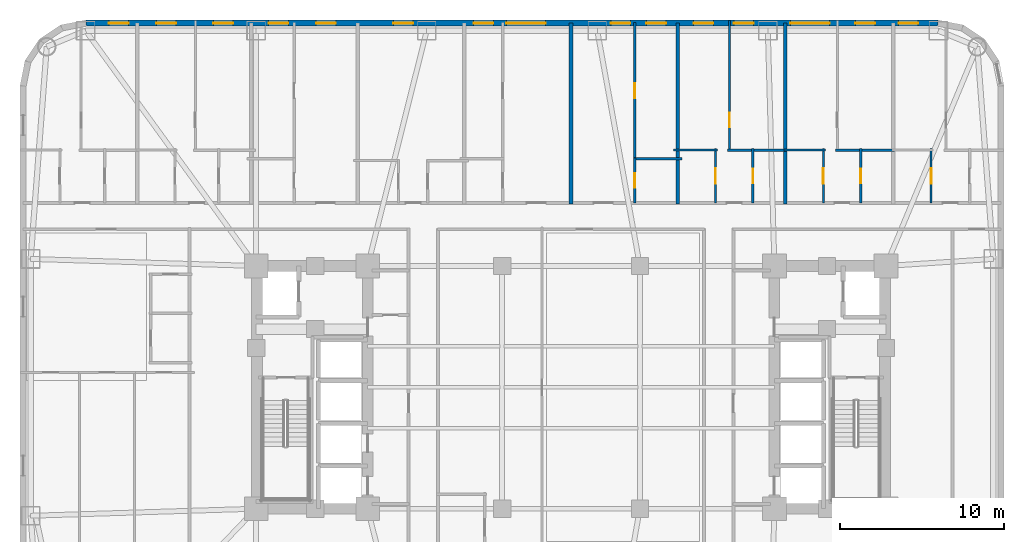
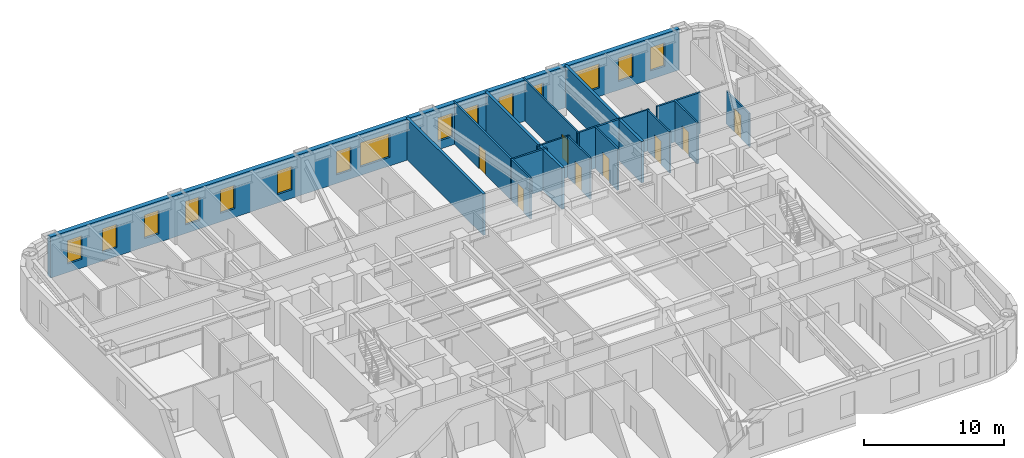
# One storey, part 8 of 11: 17 walls, 15 windows, 8 doors, 23 openings.
"""IFC4 building model written with IfcOpenShell, lengths in metres."""

import ifcopenshell
import ifcopenshell.guid

model = None  # the IFC model being written
_history = None  # IfcOwnerHistory: only IFC2X3 demands one
_inside = {}  # id of a spatial element -> (the spatial element, [elements in it])
_under = {}  # id of a project, library or spatial element -> (it, [spatial elements below it])
_declared = {}  # id of a project -> (the project, [libraries it declares])
_typed = {}  # id of a type object -> (the type object, [elements of that type])
_made_of = {}  # id of a material, layer set ... -> (it, [elements and type objects made of it])


def new_model(schema):
    """Start an empty IFC model of exactly this schema.

    Asked for "IFC4X3", IfcOpenShell would pick the latest addendum, in which some entities
    have other attributes; the version numbers below select the first issue.
    IFC2X3 requires an IfcOwnerHistory on every rooted entity: one is made here for all.
    """
    global model, _history
    if schema == "IFC4X3":
        model = ifcopenshell.file(schema_version=(4, 3, 0, 0))
    else:
        model = ifcopenshell.file(schema=schema)
    _inside.clear()
    _under.clear()
    _declared.clear()
    _typed.clear()
    _made_of.clear()
    _history = None
    if model.schema == "IFC2X3":
        org = make("IfcOrganization", Name="unknown")
        user = make(
            "IfcPersonAndOrganization",
            ThePerson=make("IfcPerson", FamilyName="unknown"),
            TheOrganization=org,
        )
        app = make(
            "IfcApplication",
            ApplicationDeveloper=org,
            Version="unknown",
            ApplicationFullName="unknown",
            ApplicationIdentifier="unknown",
        )
        _history = make(
            "IfcOwnerHistory",
            OwningUser=user,
            OwningApplication=app,
            ChangeAction="ADDED",
            CreationDate=0,
        )
    return model


def make(cls, **values):
    """One entity of the class cls with the attributes given. An attribute that is None is left unset."""
    return model.create_entity(
        cls, **{name: value for name, value in values.items() if value is not None}
    )


def rooted(cls, **values):
    """An entity with a GlobalId (a new one), such as an element, a storey or a relation."""
    return make(cls, GlobalId=ifcopenshell.guid.new(), OwnerHistory=_history, **values)


def si_unit(unit_type, name, prefix=None):
    """IfcSIUnit, for example si_unit("LENGTHUNIT", "METRE", prefix="MILLI")."""
    return make("IfcSIUnit", UnitType=unit_type, Prefix=prefix, Name=name)


def assignment(units):
    """IfcUnitAssignment: the units of a project."""
    return None if units is None else make("IfcUnitAssignment", Units=units)


def point(xyz):
    """IfcCartesianPoint."""
    return None if xyz is None else make("IfcCartesianPoint", Coordinates=xyz)


def direction(xyz):
    """IfcDirection."""
    return None if xyz is None else make("IfcDirection", DirectionRatios=xyz)


def frame(location, z_axis=None, x_axis=None):
    """IfcAxis2Placement3D, a coordinate frame: its origin and axes. An axis left out is left unset."""
    return make(
        "IfcAxis2Placement3D",
        Location=point(location),
        Axis=direction(z_axis),
        RefDirection=direction(x_axis),
    )


def frame_2d(location, x_axis=None):
    """IfcAxis2Placement2D, a coordinate frame in the plane: its origin and x axis."""
    return make(
        "IfcAxis2Placement2D", Location=point(location), RefDirection=direction(x_axis)
    )


def origin():
    """The frame at (0, 0, 0) with its axes left unset."""
    return frame((0.0, 0.0, 0.0))


def place(relative_to, where):
    """IfcLocalPlacement: puts the frame where relative to a parent placement (None: the world)."""
    return make(
        "IfcLocalPlacement", PlacementRelTo=relative_to, RelativePlacement=where
    )


def context(
    kind, dimensions, precision=None, world=None, true_north=None, identifier=None
):
    """IfcGeometricRepresentationContext, for example the 3D "Model" context."""
    return make(
        "IfcGeometricRepresentationContext",
        ContextIdentifier=identifier,
        ContextType=kind,
        CoordinateSpaceDimension=dimensions,
        Precision=precision,
        WorldCoordinateSystem=world,
        TrueNorth=true_north,
    )


def subcontext(parent, identifier, kind, view, scale=None):
    """IfcGeometricRepresentationSubContext, for example "Body" below "Model"."""
    return make(
        "IfcGeometricRepresentationSubContext",
        ContextIdentifier=identifier,
        ContextType=kind,
        ParentContext=parent,
        TargetScale=scale,
        TargetView=view,
    )


def project(units=None, contexts=None):
    """IfcProject with its units and contexts."""
    return rooted(
        "IfcProject",
        Name="project",
        RepresentationContexts=contexts,
        UnitsInContext=assignment(units),
    )


def spatial(cls, under=None, at=None, **own):
    """A site, building, storey or space (cls), placed at a placement, below another one or the project."""
    s = rooted(cls, ObjectPlacement=at, **own)
    if under is not None:
        _under.setdefault(under.id(), (under, []))[1].append(s)
    return s


def profile(cls, at=None, kind="AREA", **sizes):
    """A parametric profile (cls). Its sizes go by their IFC names, for example OverallWidth=200.0."""
    return make(cls, ProfileType=kind, Position=at, **sizes)


def rectangle(**sizes):
    """IfcRectangleProfileDef."""
    return profile("IfcRectangleProfileDef", **sizes)


def extrude(swept, where, along, depth):
    """IfcExtrudedAreaSolid: the profile swept, set in the frame where, extruded along a direction by depth."""
    return make(
        "IfcExtrudedAreaSolid",
        SweptArea=swept,
        Position=where,
        ExtrudedDirection=direction(along),
        Depth=depth,
    )


def shape(context_of_items, identifier, shape_type, items):
    """IfcShapeRepresentation: the items that make up one representation, for example the "Body"."""
    return make(
        "IfcShapeRepresentation",
        ContextOfItems=context_of_items,
        RepresentationIdentifier=identifier,
        RepresentationType=shape_type,
        Items=items,
    )


def material(Name=None, Category=None):
    """IfcMaterial."""
    return make("IfcMaterial", Name=Name, Category=Category)


def layer(
    of_material, thickness, ventilated=None, Name=None, Category=None, Priority=None
):
    """IfcMaterialLayer: one layer of a wall or slab, of a material (None: an air gap)."""
    return make(
        "IfcMaterialLayer",
        Material=of_material,
        LayerThickness=thickness,
        IsVentilated=ventilated,
        Name=Name,
        Category=Category,
        Priority=Priority,
    )


def layer_set(layers, Name=None):
    """IfcMaterialLayerSet."""
    return make("IfcMaterialLayerSet", MaterialLayers=layers, LayerSetName=Name)


def made_of(thing, what):
    """Note that an element or type object is made of a material, layer set ...; save() writes the relation."""
    if what is not None:
        _made_of.setdefault(what.id(), (what, []))[1].append(thing)
    return thing


def type_object(cls, material=None, **own):
    """A type object (cls), such as IfcWallType, which elements share."""
    return made_of(rooted(cls, **own), material)


def element(
    cls,
    number,
    at=None,
    inside=None,
    cuts=None,
    type_object=None,
    material=None,
    context=None,
    identifier="Body",
    shape_type=None,
    held_by="IfcProductDefinitionShape",
    body=None,
    shapes=None,
    **own,
):
    """One element of the class cls, such as IfcWall. Its Tag is "e" and its number.

    at: its placement. inside: the storey or other place that contains it. cuts: it is an
    opening in that element (IfcRelVoidsElement). A single representation is given by context,
    identifier, shape_type and body (its items); several are given by shapes. held_by: the class
    of the entity that holds the representations. save() writes the other relations.
    """
    e = rooted(cls, Tag="e%d" % number, ObjectPlacement=at, **own)
    if body is not None:
        shapes = [shape(context, identifier, shape_type, body)]
    if shapes is not None:
        e.Representation = make(held_by, Representations=shapes)
    if inside is not None:
        _inside.setdefault(inside.id(), (inside, []))[1].append(e)
    if cuts is not None:
        rooted(
            "IfcRelVoidsElement", RelatingBuildingElement=cuts, RelatedOpeningElement=e
        )
    if type_object is not None:
        _typed.setdefault(type_object.id(), (type_object, []))[1].append(e)
    return made_of(e, material)


def fill(opening, filler):
    """IfcRelFillsElement: the door or window that sits in an opening."""
    return rooted(
        "IfcRelFillsElement",
        RelatingOpeningElement=opening,
        RelatedBuildingElement=filler,
    )


def aggregate(whole, parts):
    """IfcRelAggregates: a whole, such as a stair, and the parts it consists of."""
    return rooted("IfcRelAggregates", RelatingObject=whole, RelatedObjects=parts)


def save(model, path):
    """Write the relations noted so far, then the file.

    IfcRelAggregates (storeys below a building ...), IfcRelContainedInSpatialStructure (elements
    in a storey), IfcRelDefinesByType, IfcRelAssociatesMaterial and IfcRelDeclares: one each for
    every whole, place, type object, material and project.
    """
    for whole, parts in _under.values():
        aggregate(whole, parts)
    for where, things in _inside.values():
        rooted(
            "IfcRelContainedInSpatialStructure",
            RelatedElements=things,
            RelatingStructure=where,
        )
    for kind, things in _typed.values():
        rooted("IfcRelDefinesByType", RelatedObjects=things, RelatingType=kind)
    for what, things in _made_of.values():
        rooted("IfcRelAssociatesMaterial", RelatedObjects=things, RelatingMaterial=what)
    for by, libraries in _declared.values():
        rooted("IfcRelDeclares", RelatingContext=by, RelatedDefinitions=libraries)
    model.write(path)


model = new_model("IFC4")

# Units and contexts
model_context = context("Model", 3, precision=1e-05, world=origin(), true_north=direction((0.0, 1.0)))
body_context = subcontext(model_context, "Body", "Model", "MODEL_VIEW")
ifc_project = project(units=[si_unit("LENGTHUNIT", "METRE"), si_unit("AREAUNIT", "SQUARE_METRE"), si_unit("VOLUMEUNIT", "CUBIC_METRE"), si_unit("PLANEANGLEUNIT", "RADIAN"), si_unit("MASSUNIT", "GRAM", prefix="KILO")], contexts=[model_context])

# Site, building, storey
site_placement = place(None, origin())
site = spatial("IfcSite", under=ifc_project, at=site_placement, CompositionType="ELEMENT")
building_placement = place(site_placement, origin())
building = spatial("IfcBuilding", under=site, at=building_placement, Name="Voryun Gate Residences", CompositionType="ELEMENT")
storey_placement = place(building_placement, frame((0.0, 0.0, 76.699951171875)))
storey = spatial("IfcBuildingStorey", under=building, at=storey_placement, Name="L18", CompositionType="ELEMENT", Elevation=76.699951171875)

# Wall, openings, windows
ifc_material_1 = material(Name="Granite masonry", Category="masonry")
ifc_layer_1 = layer(ifc_material_1, 0.3798828125, Name="W_EXT_GRANITE_380")
ifc_layer_set_1 = layer_set([ifc_layer_1], Name="Granite masonry")
wall_type_1 = type_object("IfcWallType", Name="W_EXT_GRANITE_380", PredefinedType="ELEMENTEDWALL", material=ifc_layer_set_1)
wall_1_placement = place(storey_placement, frame((-29.581298828125, 22.2099609375, 0.0), z_axis=(0.0, 0.0, 1.0), x_axis=(1.0, 0.0, 0.0)))
wall_1 = element("IfcWall", 1, at=wall_1_placement, inside=storey, type_object=wall_type_1, Name="Exterior wall WEXT-L18-11", PredefinedType="ELEMENTEDWALL", context=body_context, shape_type="SweptSolid", body=[
    extrude(rectangle(XDim=51.962646484375, YDim=0.3798828125, at=frame_2d((25.9814453125, 0.0))), origin(), (0.0, 0.0, 1.0), 3.60009765625),
])
opening_1_placement = place(wall_1_placement, frame((25.63134765625, 0.0, 0.75)))
opening_1 = element("IfcOpeningElement", 2, at=opening_1_placement, cuts=wall_1, Name="Opening WN2", PredefinedType="OPENING", context=body_context, shape_type="SweptSolid", body=[
    extrude(rectangle(XDim=2.39990234375, YDim=2.10009765625, at=frame_2d((1.199951171875, 1.050048828125))), frame((0.0, 0.199951171875, 0.0), z_axis=(0.0, -1.0, 0.0), x_axis=(1.0, 0.0, 0.0)), (0.0, 0.0, 1.0), 0.39990234375),
])
opening_2_placement = place(wall_1_placement, frame((42.9521484375, 0.0, 0.75)))
opening_2 = element("IfcOpeningElement", 3, at=opening_2_placement, cuts=wall_1, Name="Opening WN2", PredefinedType="OPENING", context=body_context, shape_type="SweptSolid", body=[
    extrude(rectangle(XDim=2.39990234375, YDim=2.10009765625, at=frame_2d((1.199951171875, 1.050048828125))), frame((0.0, 0.199951171875, 0.0), z_axis=(0.0, -1.0, 0.0), x_axis=(1.0, 0.0, 0.0)), (0.0, 0.0, 1.0), 0.39990234375),
])
opening_3_placement = place(wall_1_placement, frame((1.406005859375, 0.0, 0.75)))
opening_3 = element("IfcOpeningElement", 4, at=opening_3_placement, cuts=wall_1, Name="Opening WN6", PredefinedType="OPENING", context=body_context, shape_type="SweptSolid", body=[
    extrude(rectangle(XDim=1.199951171875, YDim=2.050048828125, at=frame_2d((0.60009765625, 1.02490234375))), frame((0.0, 0.199951171875, 0.0), z_axis=(0.0, -1.0, 0.0), x_axis=(1.0, 0.0, 0.0)), (0.0, 0.0, 1.0), 0.39990234375),
])
opening_4_placement = place(wall_1_placement, frame((4.296875, 0.0, 0.75)))
opening_4 = element("IfcOpeningElement", 5, at=opening_4_placement, cuts=wall_1, Name="Opening WN6", PredefinedType="OPENING", context=body_context, shape_type="SweptSolid", body=[
    extrude(rectangle(XDim=1.199951171875, YDim=2.050048828125, at=frame_2d((0.60009765625, 1.02490234375))), frame((0.0, 0.199951171875, 0.0), z_axis=(0.0, -1.0, 0.0), x_axis=(1.0, 0.0, 0.0)), (0.0, 0.0, 1.0), 0.39990234375),
])
opening_5_placement = place(wall_1_placement, frame((7.7763671875, 0.0, 0.75)))
opening_5 = element("IfcOpeningElement", 6, at=opening_5_placement, cuts=wall_1, Name="Opening WN6", PredefinedType="OPENING", context=body_context, shape_type="SweptSolid", body=[
    extrude(rectangle(XDim=1.199951171875, YDim=2.050048828125, at=frame_2d((0.60009765625, 1.02490234375))), frame((0.0, 0.199951171875, 0.0), z_axis=(0.0, -1.0, 0.0), x_axis=(1.0, 0.0, 0.0)), (0.0, 0.0, 1.0), 0.39990234375),
])
opening_6_placement = place(wall_1_placement, frame((14.036376953125, 0.0, 0.75)))
opening_6 = element("IfcOpeningElement", 7, at=opening_6_placement, cuts=wall_1, Name="Opening WN6", PredefinedType="OPENING", context=body_context, shape_type="SweptSolid", body=[
    extrude(rectangle(XDim=1.199951171875, YDim=2.050048828125, at=frame_2d((0.60009765625, 1.02490234375))), frame((0.0, 0.199951171875, 0.0), z_axis=(0.0, -1.0, 0.0), x_axis=(1.0, 0.0, 0.0)), (0.0, 0.0, 1.0), 0.39990234375),
])
opening_7_placement = place(wall_1_placement, frame((11.146240234375, 0.0, 0.75)))
opening_7 = element("IfcOpeningElement", 8, at=opening_7_placement, cuts=wall_1, Name="Opening WN6", PredefinedType="OPENING", context=body_context, shape_type="SweptSolid", body=[
    extrude(rectangle(XDim=1.199951171875, YDim=2.050048828125, at=frame_2d((0.60009765625, 1.02490234375))), frame((0.0, 0.199951171875, 0.0), z_axis=(0.0, -1.0, 0.0), x_axis=(1.0, 0.0, 0.0)), (0.0, 0.0, 1.0), 0.39990234375),
])
opening_8_placement = place(wall_1_placement, frame((18.751220703125, 0.0, 0.75)))
opening_8 = element("IfcOpeningElement", 9, at=opening_8_placement, cuts=wall_1, Name="Opening WN6", PredefinedType="OPENING", context=body_context, shape_type="SweptSolid", body=[
    extrude(rectangle(XDim=1.199951171875, YDim=2.050048828125, at=frame_2d((0.60009765625, 1.02490234375))), frame((0.0, 0.199951171875, 0.0), z_axis=(0.0, -1.0, 0.0), x_axis=(1.0, 0.0, 0.0)), (0.0, 0.0, 1.0), 0.39990234375),
])
opening_9_placement = place(wall_1_placement, frame((23.646728515625, 0.0, 0.75)))
opening_9 = element("IfcOpeningElement", 10, at=opening_9_placement, cuts=wall_1, Name="Opening WN6", PredefinedType="OPENING", context=body_context, shape_type="SweptSolid", body=[
    extrude(rectangle(XDim=1.199951171875, YDim=2.050048828125, at=frame_2d((0.60009765625, 1.02490234375))), frame((0.0, 0.199951171875, 0.0), z_axis=(0.0, -1.0, 0.0), x_axis=(1.0, 0.0, 0.0)), (0.0, 0.0, 1.0), 0.39990234375),
])
opening_10_placement = place(wall_1_placement, frame((32.00634765625, 0.0, 0.75)))
opening_10 = element("IfcOpeningElement", 11, at=opening_10_placement, cuts=wall_1, Name="Opening WN6", PredefinedType="OPENING", context=body_context, shape_type="SweptSolid", body=[
    extrude(rectangle(XDim=1.199951171875, YDim=2.050048828125, at=frame_2d((0.60009765625, 1.02490234375))), frame((0.0, 0.199951171875, 0.0), z_axis=(0.0, -1.0, 0.0), x_axis=(1.0, 0.0, 0.0)), (0.0, 0.0, 1.0), 0.39990234375),
])
opening_11_placement = place(wall_1_placement, frame((34.17626953125, 0.0, 0.75)))
opening_11 = element("IfcOpeningElement", 12, at=opening_11_placement, cuts=wall_1, Name="Opening WN6", PredefinedType="OPENING", context=body_context, shape_type="SweptSolid", body=[
    extrude(rectangle(XDim=1.199951171875, YDim=2.050048828125, at=frame_2d((0.60009765625, 1.02490234375))), frame((0.0, 0.199951171875, 0.0), z_axis=(0.0, -1.0, 0.0), x_axis=(1.0, 0.0, 0.0)), (0.0, 0.0, 1.0), 0.39990234375),
])
opening_12_placement = place(wall_1_placement, frame((37.062744140625, 0.0, 0.75)))
opening_12 = element("IfcOpeningElement", 13, at=opening_12_placement, cuts=wall_1, Name="Opening WN6", PredefinedType="OPENING", context=body_context, shape_type="SweptSolid", body=[
    extrude(rectangle(XDim=1.199951171875, YDim=2.050048828125, at=frame_2d((0.60009765625, 1.02490234375))), frame((0.0, 0.199951171875, 0.0), z_axis=(0.0, -1.0, 0.0), x_axis=(1.0, 0.0, 0.0)), (0.0, 0.0, 1.0), 0.39990234375),
])
opening_13_placement = place(wall_1_placement, frame((39.50927734375, 0.0, 0.75)))
opening_13 = element("IfcOpeningElement", 14, at=opening_13_placement, cuts=wall_1, Name="Opening WN6", PredefinedType="OPENING", context=body_context, shape_type="SweptSolid", body=[
    extrude(rectangle(XDim=1.199951171875, YDim=2.050048828125, at=frame_2d((0.60009765625, 1.02490234375))), frame((0.0, 0.199951171875, 0.0), z_axis=(0.0, -1.0, 0.0), x_axis=(1.0, 0.0, 0.0)), (0.0, 0.0, 1.0), 0.39990234375),
])
opening_14_placement = place(wall_1_placement, frame((46.92138671875, 0.0, 0.75)))
opening_14 = element("IfcOpeningElement", 15, at=opening_14_placement, cuts=wall_1, Name="Opening WN6", PredefinedType="OPENING", context=body_context, shape_type="SweptSolid", body=[
    extrude(rectangle(XDim=1.199951171875, YDim=2.050048828125, at=frame_2d((0.60009765625, 1.02490234375))), frame((0.0, 0.199951171875, 0.0), z_axis=(0.0, -1.0, 0.0), x_axis=(1.0, 0.0, 0.0)), (0.0, 0.0, 1.0), 0.39990234375),
])
opening_15_placement = place(wall_1_placement, frame((49.549560546875, 0.0, 0.75)))
opening_15 = element("IfcOpeningElement", 16, at=opening_15_placement, cuts=wall_1, Name="Opening WN6", PredefinedType="OPENING", context=body_context, shape_type="SweptSolid", body=[
    extrude(rectangle(XDim=1.199951171875, YDim=2.050048828125, at=frame_2d((0.60009765625, 1.02490234375))), frame((0.0, 0.199951171875, 0.0), z_axis=(0.0, -1.0, 0.0), x_axis=(1.0, 0.0, 0.0)), (0.0, 0.0, 1.0), 0.39990234375),
])
ifc_material_2 = material(Name="Laminated low-E glass", Category="glass")
window_type_1 = type_object("IfcWindowType", Name="WN_POD_SLOT_1200", PartitioningType="SINGLE_PANEL", PredefinedType="WINDOW", material=ifc_material_2)
window_1_placement = place(opening_3_placement, origin())
window_1 = element("IfcWindow", 17, at=window_1_placement, inside=storey, type_object=window_type_1, Name="Window WN-L18-DWFIX-02", OverallHeight=2.050048828125, OverallWidth=1.199951171875, PartitioningType="SINGLE_PANEL", PredefinedType="WINDOW", context=body_context, shape_type="SweptSolid", body=[
    extrude(rectangle(XDim=1.199951171875, YDim=2.050048828125, at=frame_2d((0.60009765625, 1.02490234375))), frame((0.0, 0.030029296875, 0.0), z_axis=(0.0, -1.0, 0.0), x_axis=(1.0, 0.0, 0.0)), (0.0, 0.0, 1.0), 0.06005859375),
])
fill(opening_3, window_1)
window_2_placement = place(opening_4_placement, origin())
window_2 = element("IfcWindow", 18, at=window_2_placement, inside=storey, type_object=window_type_1, Name="Window WN-L18-DWFIX-03", OverallHeight=2.050048828125, OverallWidth=1.199951171875, PartitioningType="SINGLE_PANEL", PredefinedType="WINDOW", context=body_context, shape_type="SweptSolid", body=[
    extrude(rectangle(XDim=1.199951171875, YDim=2.050048828125, at=frame_2d((0.60009765625, 1.02490234375))), frame((0.0, 0.030029296875, 0.0), z_axis=(0.0, -1.0, 0.0), x_axis=(1.0, 0.0, 0.0)), (0.0, 0.0, 1.0), 0.06005859375),
])
fill(opening_4, window_2)
window_3_placement = place(opening_5_placement, origin())
window_3 = element("IfcWindow", 19, at=window_3_placement, inside=storey, type_object=window_type_1, Name="Window WN-L18-DWFIX-04", OverallHeight=2.050048828125, OverallWidth=1.199951171875, PartitioningType="SINGLE_PANEL", PredefinedType="WINDOW", context=body_context, shape_type="SweptSolid", body=[
    extrude(rectangle(XDim=1.199951171875, YDim=2.050048828125, at=frame_2d((0.60009765625, 1.02490234375))), frame((0.0, 0.030029296875, 0.0), z_axis=(0.0, -1.0, 0.0), x_axis=(1.0, 0.0, 0.0)), (0.0, 0.0, 1.0), 0.06005859375),
])
fill(opening_5, window_3)
window_4_placement = place(opening_6_placement, origin())
window_4 = element("IfcWindow", 20, at=window_4_placement, inside=storey, type_object=window_type_1, Name="Window WN-L18-DWFIX-05", OverallHeight=2.050048828125, OverallWidth=1.199951171875, PartitioningType="SINGLE_PANEL", PredefinedType="WINDOW", context=body_context, shape_type="SweptSolid", body=[
    extrude(rectangle(XDim=1.199951171875, YDim=2.050048828125, at=frame_2d((0.60009765625, 1.02490234375))), frame((0.0, 0.030029296875, 0.0), z_axis=(0.0, -1.0, 0.0), x_axis=(1.0, 0.0, 0.0)), (0.0, 0.0, 1.0), 0.06005859375),
])
fill(opening_6, window_4)
window_5_placement = place(opening_7_placement, origin())
window_5 = element("IfcWindow", 21, at=window_5_placement, inside=storey, type_object=window_type_1, Name="Window WN-L18-DWFIX-06", OverallHeight=2.050048828125, OverallWidth=1.199951171875, PartitioningType="SINGLE_PANEL", PredefinedType="WINDOW", context=body_context, shape_type="SweptSolid", body=[
    extrude(rectangle(XDim=1.199951171875, YDim=2.050048828125, at=frame_2d((0.60009765625, 1.02490234375))), frame((0.0, 0.030029296875, 0.0), z_axis=(0.0, -1.0, 0.0), x_axis=(1.0, 0.0, 0.0)), (0.0, 0.0, 1.0), 0.06005859375),
])
fill(opening_7, window_5)
window_6_placement = place(opening_8_placement, origin())
window_6 = element("IfcWindow", 22, at=window_6_placement, inside=storey, type_object=window_type_1, Name="Window WN-L18-DWFIX-07", OverallHeight=2.050048828125, OverallWidth=1.199951171875, PartitioningType="SINGLE_PANEL", PredefinedType="WINDOW", context=body_context, shape_type="SweptSolid", body=[
    extrude(rectangle(XDim=1.199951171875, YDim=2.050048828125, at=frame_2d((0.60009765625, 1.02490234375))), frame((0.0, 0.030029296875, 0.0), z_axis=(0.0, -1.0, 0.0), x_axis=(1.0, 0.0, 0.0)), (0.0, 0.0, 1.0), 0.06005859375),
])
fill(opening_8, window_6)
window_7_placement = place(opening_9_placement, origin())
window_7 = element("IfcWindow", 23, at=window_7_placement, inside=storey, type_object=window_type_1, Name="Window WN-L18-DWFIX-08", OverallHeight=2.050048828125, OverallWidth=1.199951171875, PartitioningType="SINGLE_PANEL", PredefinedType="WINDOW", context=body_context, shape_type="SweptSolid", body=[
    extrude(rectangle(XDim=1.199951171875, YDim=2.050048828125, at=frame_2d((0.60009765625, 1.02490234375))), frame((0.0, 0.030029296875, 0.0), z_axis=(0.0, -1.0, 0.0), x_axis=(1.0, 0.0, 0.0)), (0.0, 0.0, 1.0), 0.06005859375),
])
fill(opening_9, window_7)
window_8_placement = place(opening_10_placement, origin())
window_8 = element("IfcWindow", 24, at=window_8_placement, inside=storey, type_object=window_type_1, Name="Window WN-L18-DWFIX-09", OverallHeight=2.050048828125, OverallWidth=1.199951171875, PartitioningType="SINGLE_PANEL", PredefinedType="WINDOW", context=body_context, shape_type="SweptSolid", body=[
    extrude(rectangle(XDim=1.199951171875, YDim=2.050048828125, at=frame_2d((0.60009765625, 1.02490234375))), frame((0.0, 0.030029296875, 0.0), z_axis=(0.0, -1.0, 0.0), x_axis=(1.0, 0.0, 0.0)), (0.0, 0.0, 1.0), 0.06005859375),
])
fill(opening_10, window_8)
window_9_placement = place(opening_11_placement, origin())
window_9 = element("IfcWindow", 25, at=window_9_placement, inside=storey, type_object=window_type_1, Name="Window WN-L18-DWFIX-10", OverallHeight=2.050048828125, OverallWidth=1.199951171875, PartitioningType="SINGLE_PANEL", PredefinedType="WINDOW", context=body_context, shape_type="SweptSolid", body=[
    extrude(rectangle(XDim=1.199951171875, YDim=2.050048828125, at=frame_2d((0.60009765625, 1.02490234375))), frame((0.0, 0.030029296875, 0.0), z_axis=(0.0, -1.0, 0.0), x_axis=(1.0, 0.0, 0.0)), (0.0, 0.0, 1.0), 0.06005859375),
])
fill(opening_11, window_9)
window_10_placement = place(opening_12_placement, origin())
window_10 = element("IfcWindow", 26, at=window_10_placement, inside=storey, type_object=window_type_1, Name="Window WN-L18-DWFIX-11", OverallHeight=2.050048828125, OverallWidth=1.199951171875, PartitioningType="SINGLE_PANEL", PredefinedType="WINDOW", context=body_context, shape_type="SweptSolid", body=[
    extrude(rectangle(XDim=1.199951171875, YDim=2.050048828125, at=frame_2d((0.60009765625, 1.02490234375))), frame((0.0, 0.030029296875, 0.0), z_axis=(0.0, -1.0, 0.0), x_axis=(1.0, 0.0, 0.0)), (0.0, 0.0, 1.0), 0.06005859375),
])
fill(opening_12, window_10)
window_11_placement = place(opening_13_placement, origin())
window_11 = element("IfcWindow", 27, at=window_11_placement, inside=storey, type_object=window_type_1, Name="Window WN-L18-DWFIX-12", OverallHeight=2.050048828125, OverallWidth=1.199951171875, PartitioningType="SINGLE_PANEL", PredefinedType="WINDOW", context=body_context, shape_type="SweptSolid", body=[
    extrude(rectangle(XDim=1.199951171875, YDim=2.050048828125, at=frame_2d((0.60009765625, 1.02490234375))), frame((0.0, 0.030029296875, 0.0), z_axis=(0.0, -1.0, 0.0), x_axis=(1.0, 0.0, 0.0)), (0.0, 0.0, 1.0), 0.06005859375),
])
fill(opening_13, window_11)
window_12_placement = place(opening_14_placement, origin())
window_12 = element("IfcWindow", 28, at=window_12_placement, inside=storey, type_object=window_type_1, Name="Window WN-L18-DWFIX-13", OverallHeight=2.050048828125, OverallWidth=1.199951171875, PartitioningType="SINGLE_PANEL", PredefinedType="WINDOW", context=body_context, shape_type="SweptSolid", body=[
    extrude(rectangle(XDim=1.199951171875, YDim=2.050048828125, at=frame_2d((0.60009765625, 1.02490234375))), frame((0.0, 0.030029296875, 0.0), z_axis=(0.0, -1.0, 0.0), x_axis=(1.0, 0.0, 0.0)), (0.0, 0.0, 1.0), 0.06005859375),
])
fill(opening_14, window_12)
window_13_placement = place(opening_15_placement, origin())
window_13 = element("IfcWindow", 29, at=window_13_placement, inside=storey, type_object=window_type_1, Name="Window WN-L18-DWFIX-14", OverallHeight=2.050048828125, OverallWidth=1.199951171875, PartitioningType="SINGLE_PANEL", PredefinedType="WINDOW", context=body_context, shape_type="SweptSolid", body=[
    extrude(rectangle(XDim=1.199951171875, YDim=2.050048828125, at=frame_2d((0.60009765625, 1.02490234375))), frame((0.0, 0.030029296875, 0.0), z_axis=(0.0, -1.0, 0.0), x_axis=(1.0, 0.0, 0.0)), (0.0, 0.0, 1.0), 0.06005859375),
])
fill(opening_15, window_13)
ifc_material_3 = material(Name="Laminated low-E glass", Category="glass")
window_type_2 = type_object("IfcWindowType", Name="WN_RES_WIDE_2400", PartitioningType="SINGLE_PANEL", PredefinedType="WINDOW", material=ifc_material_3)
window_14_placement = place(opening_1_placement, origin())
window_14 = element("IfcWindow", 30, at=window_14_placement, inside=storey, type_object=window_type_2, Name="Window WN-WEXT-L18-11-02", OverallHeight=2.10009765625, OverallWidth=2.39990234375, PartitioningType="SINGLE_PANEL", PredefinedType="WINDOW", context=body_context, shape_type="SweptSolid", body=[
    extrude(rectangle(XDim=2.39990234375, YDim=2.10009765625, at=frame_2d((1.199951171875, 1.050048828125))), frame((0.0, 0.030029296875, 0.0), z_axis=(0.0, -1.0, 0.0), x_axis=(1.0, 0.0, 0.0)), (0.0, 0.0, 1.0), 0.06005859375),
])
fill(opening_1, window_14)
window_15_placement = place(opening_2_placement, origin())
window_15 = element("IfcWindow", 31, at=window_15_placement, inside=storey, type_object=window_type_2, Name="Window WN-WEXT-L18-11-03", OverallHeight=2.10009765625, OverallWidth=2.39990234375, PartitioningType="SINGLE_PANEL", PredefinedType="WINDOW", context=body_context, shape_type="SweptSolid", body=[
    extrude(rectangle(XDim=2.39990234375, YDim=2.10009765625, at=frame_2d((1.199951171875, 1.050048828125))), frame((0.0, 0.030029296875, 0.0), z_axis=(0.0, -1.0, 0.0), x_axis=(1.0, 0.0, 0.0)), (0.0, 0.0, 1.0), 0.06005859375),
])
fill(opening_2, window_15)

# Walls
ifc_material_4 = material(Name="Concrete C40/50", Category="concrete")
ifc_layer_2 = layer(ifc_material_4, 0.219970703125, Name="W_PARTY_ACOUSTIC_220")
ifc_layer_set_2 = layer_set([ifc_layer_2], Name="Concrete C40/50")
wall_type_2 = type_object("IfcWallType", Name="W_PARTY_ACOUSTIC_220", PredefinedType="PARTITIONING", material=ifc_layer_set_2)
for number, where, z_axis, x_axis, name in (
    (32, (0.0, 11.169921875, 0.0), (0.0, 0.0, 1.0), (0.0, 1.0, 0.0), "Partition wall WP-L18-NPTY-5"),
    (33, (6.5, 11.169921875, 0.0), (0.0, 0.0, 1.0), (0.0, 1.0, 0.0), "Partition wall WP-L18-NPTY-6"),
    (34, (13.072998046875, 11.169921875, 0.0), (0.0, 0.0, 1.0), (0.0, 1.0, 0.0), "Partition wall WP-L18-NPTY-7"),
):
    element("IfcWall", number, at=place(storey_placement, frame(where, z_axis=z_axis, x_axis=x_axis)), inside=storey, type_object=wall_type_2, Name=name, PredefinedType="PARTITIONING", context=body_context, shape_type="SweptSolid", body=[
        extrude(rectangle(XDim=11.0400390625, YDim=0.219970703125, at=frame_2d((5.52001953125, 0.0))), origin(), (0.0, 0.0, 1.0), 3.60009765625),
    ])

# Wall, opening, door
ifc_material_5 = material(Name="Gypsum acoustic partition")
ifc_layer_3 = layer(ifc_material_5, 0.125, Name="W_UNIT_PART_125")
ifc_layer_set_3 = layer_set([ifc_layer_3], Name="Gypsum acoustic partition")
wall_type_3 = type_object("IfcWallType", Name="W_UNIT_PART_125", PredefinedType="PARTITIONING", material=ifc_layer_set_3)
wall_2_placement = place(storey_placement, frame((9.6630859375, 14.389892578125, 0.0), z_axis=(0.0, 0.0, 1.0), x_axis=(0.0, 1.0, 0.0)))
wall_2 = element("IfcWall", 35, at=wall_2_placement, inside=storey, type_object=wall_type_3, Name="Partition wall WP-L18-N7-OVR", PredefinedType="PARTITIONING", context=body_context, shape_type="SweptSolid", body=[
    extrude(rectangle(XDim=7.97021484375, YDim=0.125, at=frame_2d((3.985107421875, 0.0))), origin(), (0.0, 0.0, 1.0), 3.60009765625),
])
opening_16_placement = place(wall_2_placement, frame((1.462890625, 0.0, 0.0)))
opening_16 = element("IfcOpeningElement", 36, at=opening_16_placement, cuts=wall_2, Name="Opening D-INT-2", PredefinedType="OPENING", context=body_context, shape_type="SweptSolid", body=[
    extrude(rectangle(XDim=0.89990234375, YDim=2.050048828125, at=frame_2d((0.449951171875, 1.02490234375))), frame((0.0, 0.072509765625, 0.0), z_axis=(0.0, -1.0, 0.0), x_axis=(1.0, 0.0, 0.0)), (0.0, 0.0, 1.0), 0.14501953125),
])
ifc_material_6 = material(Name="Architectural oak veneer")
door_type_1 = type_object("IfcDoorType", Name="DR_INT_BATH_900", OperationType="NOTDEFINED", PredefinedType="DOOR", material=ifc_material_6)
door_1_placement = place(opening_16_placement, origin())
door_1 = element("IfcDoor", 37, at=door_1_placement, inside=storey, type_object=door_type_1, Name="Door DR-L18-N7-DMB", OperationType="SINGLE_SWING_RIGHT", OverallHeight=2.050048828125, OverallWidth=0.89990234375, PredefinedType="DOOR", context=body_context, shape_type="SweptSolid", body=[
    extrude(rectangle(XDim=0.89990234375, YDim=2.050048828125, at=frame_2d((0.449951171875, 1.02490234375))), frame((0.0, 0.02490234375, 0.0), z_axis=(0.0, -1.0, 0.0), x_axis=(1.0, 0.0, 0.0)), (0.0, 0.0, 1.0), 0.050048828125),
])
fill(opening_16, door_1)

wall_3_placement = place(storey_placement, frame((8.81005859375, 11.22998046875, 0.0), z_axis=(0.0, 0.0, 1.0), x_axis=(0.0, 1.0, 0.0)))
wall_3 = element("IfcWall", 38, at=wall_3_placement, inside=storey, type_object=wall_type_3, Name="Partition wall WP-L18-N7-IVK", PredefinedType="PARTITIONING", context=body_context, shape_type="SweptSolid", body=[
    extrude(rectangle(XDim=3.320068359375, YDim=0.125, at=frame_2d((1.66015625, 0.0))), origin(), (0.0, 0.0, 1.0), 3.60009765625),
])
opening_17_placement = place(wall_3_placement, frame((1.18505859375, 0.0, 0.0)))
opening_17 = element("IfcOpeningElement", 39, at=opening_17_placement, cuts=wall_3, Name="Opening D-INT-1", PredefinedType="OPENING", context=body_context, shape_type="SweptSolid", body=[
    extrude(rectangle(XDim=0.949951171875, YDim=2.050048828125, at=frame_2d((0.47509765625, 1.02490234375))), frame((0.0, 0.072509765625, 0.0), z_axis=(0.0, -1.0, 0.0), x_axis=(1.0, 0.0, 0.0)), (0.0, 0.0, 1.0), 0.14501953125),
])
ifc_material_7 = material(Name="Architectural oak veneer")
door_type_2 = type_object("IfcDoorType", Name="DR_INT_ROOM_950", OperationType="NOTDEFINED", PredefinedType="DOOR", material=ifc_material_7)
door_2_placement = place(opening_17_placement, origin())
door_2 = element("IfcDoor", 40, at=door_2_placement, inside=storey, type_object=door_type_2, Name="Door DR-L18-N7-DK", OperationType="SINGLE_SWING_LEFT", OverallHeight=2.050048828125, OverallWidth=0.949951171875, PredefinedType="DOOR", context=body_context, shape_type="SweptSolid", body=[
    extrude(rectangle(XDim=0.949951171875, YDim=2.050048828125, at=frame_2d((0.47509765625, 1.02490234375))), frame((0.0, 0.02490234375, 0.0), z_axis=(0.0, -1.0, 0.0), x_axis=(1.0, 0.0, 0.0)), (0.0, 0.0, 1.0), 0.050048828125),
])
fill(opening_17, door_2)

# Wall
wall_4_placement = place(storey_placement, frame((6.239990234375, 14.469970703125, 0.0), z_axis=(0.0, 0.0, 1.0), x_axis=(1.0, 0.0, 0.0)))
element("IfcWall", 41, at=wall_4_placement, inside=storey, type_object=wall_type_3, Name="Partition wall WP-L18-N7-HZK", PredefinedType="PARTITIONING", context=body_context, shape_type="SweptSolid", body=[
    extrude(rectangle(XDim=2.68994140625, YDim=0.125, at=frame_2d((1.344970703125, 0.0))), origin(), (0.0, 0.0, 1.0), 3.60009765625),
])

# Wall, opening, door
wall_5_placement = place(storey_placement, frame((15.383056640625, 11.22998046875, 0.0), z_axis=(0.0, 0.0, 1.0), x_axis=(0.0, 1.0, 0.0)))
wall_5 = element("IfcWall", 42, at=wall_5_placement, inside=storey, type_object=wall_type_3, Name="Partition wall WP-L18-N8-IVK", PredefinedType="PARTITIONING", context=body_context, shape_type="SweptSolid", body=[
    extrude(rectangle(XDim=3.320068359375, YDim=0.125, at=frame_2d((1.66015625, 0.0))), origin(), (0.0, 0.0, 1.0), 3.60009765625),
])
opening_18_placement = place(wall_5_placement, frame((1.18505859375, 0.0, 0.0)))
opening_18 = element("IfcOpeningElement", 43, at=opening_18_placement, cuts=wall_5, Name="Opening D-INT-1", PredefinedType="OPENING", context=body_context, shape_type="SweptSolid", body=[
    extrude(rectangle(XDim=0.949951171875, YDim=2.050048828125, at=frame_2d((0.47509765625, 1.02490234375))), frame((0.0, 0.072509765625, 0.0), z_axis=(0.0, -1.0, 0.0), x_axis=(1.0, 0.0, 0.0)), (0.0, 0.0, 1.0), 0.14501953125),
])
door_3_placement = place(opening_18_placement, origin())
door_3 = element("IfcDoor", 44, at=door_3_placement, inside=storey, type_object=door_type_2, Name="Door DR-L18-N8-DK", OperationType="SINGLE_SWING_LEFT", OverallHeight=2.050048828125, OverallWidth=0.949951171875, PredefinedType="DOOR", context=body_context, shape_type="SweptSolid", body=[
    extrude(rectangle(XDim=0.949951171875, YDim=2.050048828125, at=frame_2d((0.47509765625, 1.02490234375))), frame((0.0, 0.02490234375, 0.0), z_axis=(0.0, -1.0, 0.0), x_axis=(1.0, 0.0, 0.0)), (0.0, 0.0, 1.0), 0.050048828125),
])
fill(opening_18, door_3)

# Wall
wall_6_placement = place(storey_placement, frame((12.998046875, 14.469970703125, 0.0), z_axis=(0.0, 0.0, 1.0), x_axis=(1.0, 0.0, 0.0)))
element("IfcWall", 45, at=wall_6_placement, inside=storey, type_object=wall_type_3, Name="Partition wall WP-L18-N8-HZK", PredefinedType="PARTITIONING", context=body_context, shape_type="SweptSolid", body=[
    extrude(rectangle(XDim=2.5048828125, YDim=0.125, at=frame_2d((1.25244140625, 0.0))), origin(), (0.0, 0.0, 1.0), 3.60009765625),
])

# Wall, opening, door
wall_7_placement = place(storey_placement, frame((21.955078125, 11.22998046875, 0.0), z_axis=(0.0, 0.0, 1.0), x_axis=(0.0, 1.0, 0.0)))
wall_7 = element("IfcWall", 46, at=wall_7_placement, inside=storey, type_object=wall_type_3, Name="Partition wall WP-L18-N9-IVK", PredefinedType="PARTITIONING", context=body_context, shape_type="SweptSolid", body=[
    extrude(rectangle(XDim=3.320068359375, YDim=0.125, at=frame_2d((1.66015625, 0.0))), origin(), (0.0, 0.0, 1.0), 2.89013671875),
])
opening_19_placement = place(wall_7_placement, frame((1.18505859375, 0.0, 0.0)))
opening_19 = element("IfcOpeningElement", 47, at=opening_19_placement, cuts=wall_7, Name="Opening D-INT-1", PredefinedType="OPENING", context=body_context, shape_type="SweptSolid", body=[
    extrude(rectangle(XDim=0.949951171875, YDim=2.050048828125, at=frame_2d((0.47509765625, 1.02490234375))), frame((0.0, 0.072509765625, 0.0), z_axis=(0.0, -1.0, 0.0), x_axis=(1.0, 0.0, 0.0)), (0.0, 0.0, 1.0), 0.14501953125),
])
door_4_placement = place(opening_19_placement, origin())
door_4 = element("IfcDoor", 48, at=door_4_placement, inside=storey, type_object=door_type_2, Name="Door DR-L18-N9-DK", OperationType="SINGLE_SWING_LEFT", OverallHeight=2.050048828125, OverallWidth=0.949951171875, PredefinedType="DOOR", context=body_context, shape_type="SweptSolid", body=[
    extrude(rectangle(XDim=0.949951171875, YDim=2.050048828125, at=frame_2d((0.47509765625, 1.02490234375))), frame((0.0, 0.02490234375, 0.0), z_axis=(0.0, -1.0, 0.0), x_axis=(1.0, 0.0, 0.0)), (0.0, 0.0, 1.0), 0.050048828125),
])
fill(opening_19, door_4)

# Wall
ifc_material_8 = material(Name="Gypsum moisture-resistant partition")
ifc_layer_4 = layer(ifc_material_8, 0.14990234375, Name="W_WET_PLUMB_150")
ifc_layer_set_4 = layer_set([ifc_layer_4], Name="Gypsum moisture-resistant partition")
wall_type_4 = type_object("IfcWallType", Name="W_WET_PLUMB_150", PredefinedType="PLUMBINGWALL", material=ifc_layer_set_4)
wall_8_placement = place(storey_placement, frame((3.81005859375, 13.949951171875, 0.0), z_axis=(0.0, 0.0, 1.0), x_axis=(1.0, 0.0, 0.0)))
element("IfcWall", 49, at=wall_8_placement, inside=storey, type_object=wall_type_4, Name="Partition wall WP-L18-N6-SKB", PredefinedType="PLUMBINGWALL", context=body_context, shape_type="SweptSolid", body=[
    extrude(rectangle(XDim=2.949951171875, YDim=0.14990234375, at=frame_2d((1.47509765625, 0.0))), origin(), (0.0, 0.0, 1.0), 3.60009765625),
])

# Wall, opening, door
wall_9_placement = place(storey_placement, frame((3.889892578125, 11.22998046875, 0.0), z_axis=(0.0, 0.0, 1.0), x_axis=(0.0, 1.0, 0.0)))
wall_9 = element("IfcWall", 50, at=wall_9_placement, inside=storey, type_object=wall_type_4, Name="Partition wall WP-L18-N6-SVT1", PredefinedType="PLUMBINGWALL", context=body_context, shape_type="SweptSolid", body=[
    extrude(rectangle(XDim=2.760009765625, YDim=0.14990234375, at=frame_2d((1.3798828125, 0.0))), origin(), (0.0, 0.0, 1.0), 3.60009765625),
])
opening_20_placement = place(wall_9_placement, frame((0.929931640625, 0.0, 0.0)))
opening_20 = element("IfcOpeningElement", 51, at=opening_20_placement, cuts=wall_9, Name="Opening D-INT-2", PredefinedType="OPENING", context=body_context, shape_type="SweptSolid", body=[
    extrude(rectangle(XDim=0.89990234375, YDim=2.050048828125, at=frame_2d((0.449951171875, 1.02490234375))), frame((0.0, 0.0849609375, 0.0), z_axis=(0.0, -1.0, 0.0), x_axis=(1.0, 0.0, 0.0)), (0.0, 0.0, 1.0), 0.169921875),
])
door_5_placement = place(opening_20_placement, origin())
door_5 = element("IfcDoor", 52, at=door_5_placement, inside=storey, type_object=door_type_1, Name="Door DR-L18-N6-DB", OperationType="SINGLE_SWING_LEFT", OverallHeight=2.050048828125, OverallWidth=0.89990234375, PredefinedType="DOOR", context=body_context, shape_type="SweptSolid", body=[
    extrude(rectangle(XDim=0.89990234375, YDim=2.050048828125, at=frame_2d((0.449951171875, 1.02490234375))), frame((0.0, 0.02490234375, 0.0), z_axis=(0.0, -1.0, 0.0), x_axis=(1.0, 0.0, 0.0)), (0.0, 0.0, 1.0), 0.050048828125),
])
fill(opening_20, door_5)

wall_10_placement = place(storey_placement, frame((3.889892578125, 13.909912109375, 0.0), z_axis=(0.0, 0.0, 1.0), x_axis=(0.0, 1.0, 0.0)))
wall_10 = element("IfcWall", 53, at=wall_10_placement, inside=storey, type_object=wall_type_4, Name="Partition wall WP-L18-N6-SVT2", PredefinedType="PLUMBINGWALL", context=body_context, shape_type="SweptSolid", body=[
    extrude(rectangle(XDim=8.34765625, YDim=0.14990234375, at=frame_2d((4.173828125, 0.0))), origin(), (0.0, 0.0, 1.0), 3.60009765625),
])
opening_21_placement = place(wall_10_placement, frame((3.723876953125, 0.0, 0.0)))
opening_21 = element("IfcOpeningElement", 54, at=opening_21_placement, cuts=wall_10, Name="Opening D-INT-2", PredefinedType="OPENING", context=body_context, shape_type="SweptSolid", body=[
    extrude(rectangle(XDim=0.89990234375, YDim=2.050048828125, at=frame_2d((0.449951171875, 1.02490234375))), frame((0.0, 0.0849609375, 0.0), z_axis=(0.0, -1.0, 0.0), x_axis=(1.0, 0.0, 0.0)), (0.0, 0.0, 1.0), 0.169921875),
])
door_6_placement = place(opening_21_placement, origin())
door_6 = element("IfcDoor", 55, at=door_6_placement, inside=storey, type_object=door_type_1, Name="Door DR-L18-N6-DK", OperationType="SINGLE_SWING_RIGHT", OverallHeight=2.050048828125, OverallWidth=0.89990234375, PredefinedType="DOOR", context=body_context, shape_type="SweptSolid", body=[
    extrude(rectangle(XDim=0.89990234375, YDim=2.050048828125, at=frame_2d((0.449951171875, 1.02490234375))), frame((0.0, 0.02490234375, 0.0), z_axis=(0.0, -1.0, 0.0), x_axis=(1.0, 0.0, 0.0)), (0.0, 0.0, 1.0), 0.050048828125),
])
fill(opening_21, door_6)

# Wall
wall_11_placement = place(storey_placement, frame((9.54296875, 14.469970703125, 0.0), z_axis=(0.0, 0.0, 1.0), x_axis=(1.0, 0.0, 0.0)))
element("IfcWall", 56, at=wall_11_placement, inside=storey, type_object=wall_type_4, Name="Partition wall WP-L18-N7-HZB", PredefinedType="PLUMBINGWALL", context=body_context, shape_type="SweptSolid", body=[
    extrude(rectangle(XDim=3.60498046875, YDim=0.14990234375, at=frame_2d((1.802490234375, 0.0))), origin(), (0.0, 0.0, 1.0), 3.60009765625),
])

# Wall, opening, door
wall_12_placement = place(storey_placement, frame((11.093017578125, 11.22998046875, 0.0), z_axis=(0.0, 0.0, 1.0), x_axis=(0.0, 1.0, 0.0)))
wall_12 = element("IfcWall", 57, at=wall_12_placement, inside=storey, type_object=wall_type_4, Name="Partition wall WP-L18-N7-IVB", PredefinedType="PLUMBINGWALL", context=body_context, shape_type="SweptSolid", body=[
    extrude(rectangle(XDim=3.320068359375, YDim=0.14990234375, at=frame_2d((1.66015625, 0.0))), origin(), (0.0, 0.0, 1.0), 3.60009765625),
])
opening_22_placement = place(wall_12_placement, frame((1.2099609375, 0.0, 0.0)))
opening_22 = element("IfcOpeningElement", 58, at=opening_22_placement, cuts=wall_12, Name="Opening D-INT-2", PredefinedType="OPENING", context=body_context, shape_type="SweptSolid", body=[
    extrude(rectangle(XDim=0.89990234375, YDim=2.050048828125, at=frame_2d((0.449951171875, 1.02490234375))), frame((0.0, 0.0849609375, 0.0), z_axis=(0.0, -1.0, 0.0), x_axis=(1.0, 0.0, 0.0)), (0.0, 0.0, 1.0), 0.169921875),
])
door_7_placement = place(opening_22_placement, origin())
door_7 = element("IfcDoor", 59, at=door_7_placement, inside=storey, type_object=door_type_1, Name="Door DR-L18-N7-DB", OperationType="SINGLE_SWING_RIGHT", OverallHeight=2.050048828125, OverallWidth=0.89990234375, PredefinedType="DOOR", context=body_context, shape_type="SweptSolid", body=[
    extrude(rectangle(XDim=0.89990234375, YDim=2.050048828125, at=frame_2d((0.449951171875, 1.02490234375))), frame((0.0, 0.02490234375, 0.0), z_axis=(0.0, -1.0, 0.0), x_axis=(1.0, 0.0, 0.0)), (0.0, 0.0, 1.0), 0.050048828125),
])
fill(opening_22, door_7)

# Wall
wall_13_placement = place(storey_placement, frame((16.114990234375, 14.469970703125, 0.0), z_axis=(0.0, 0.0, 1.0), x_axis=(1.0, 0.0, 0.0)))
element("IfcWall", 60, at=wall_13_placement, inside=storey, type_object=wall_type_4, Name="Partition wall WP-L18-N8-HZB", PredefinedType="PLUMBINGWALL", context=body_context, shape_type="SweptSolid", body=[
    extrude(rectangle(XDim=3.60498046875, YDim=0.14990234375, at=frame_2d((1.802490234375, 0.0))), origin(), (0.0, 0.0, 1.0), 3.60009765625),
])

# Wall, opening, door
wall_14_placement = place(storey_placement, frame((17.6650390625, 11.22998046875, 0.0), z_axis=(0.0, 0.0, 1.0), x_axis=(0.0, 1.0, 0.0)))
wall_14 = element("IfcWall", 61, at=wall_14_placement, inside=storey, type_object=wall_type_4, Name="Partition wall WP-L18-N8-IVB", PredefinedType="PLUMBINGWALL", context=body_context, shape_type="SweptSolid", body=[
    extrude(rectangle(XDim=3.320068359375, YDim=0.14990234375, at=frame_2d((1.66015625, 0.0))), origin(), (0.0, 0.0, 1.0), 3.60009765625),
])
opening_23_placement = place(wall_14_placement, frame((1.2099609375, 0.0, 0.0)))
opening_23 = element("IfcOpeningElement", 62, at=opening_23_placement, cuts=wall_14, Name="Opening D-INT-2", PredefinedType="OPENING", context=body_context, shape_type="SweptSolid", body=[
    extrude(rectangle(XDim=0.89990234375, YDim=2.050048828125, at=frame_2d((0.449951171875, 1.02490234375))), frame((0.0, 0.0849609375, 0.0), z_axis=(0.0, -1.0, 0.0), x_axis=(1.0, 0.0, 0.0)), (0.0, 0.0, 1.0), 0.169921875),
])
door_8_placement = place(opening_23_placement, origin())
door_8 = element("IfcDoor", 63, at=door_8_placement, inside=storey, type_object=door_type_1, Name="Door DR-L18-N8-DB", OperationType="SINGLE_SWING_RIGHT", OverallHeight=2.050048828125, OverallWidth=0.89990234375, PredefinedType="DOOR", context=body_context, shape_type="SweptSolid", body=[
    extrude(rectangle(XDim=0.89990234375, YDim=2.050048828125, at=frame_2d((0.449951171875, 1.02490234375))), frame((0.0, 0.02490234375, 0.0), z_axis=(0.0, -1.0, 0.0), x_axis=(1.0, 0.0, 0.0)), (0.0, 0.0, 1.0), 0.050048828125),
])
fill(opening_23, door_8)

save(model, "model.ifc")
